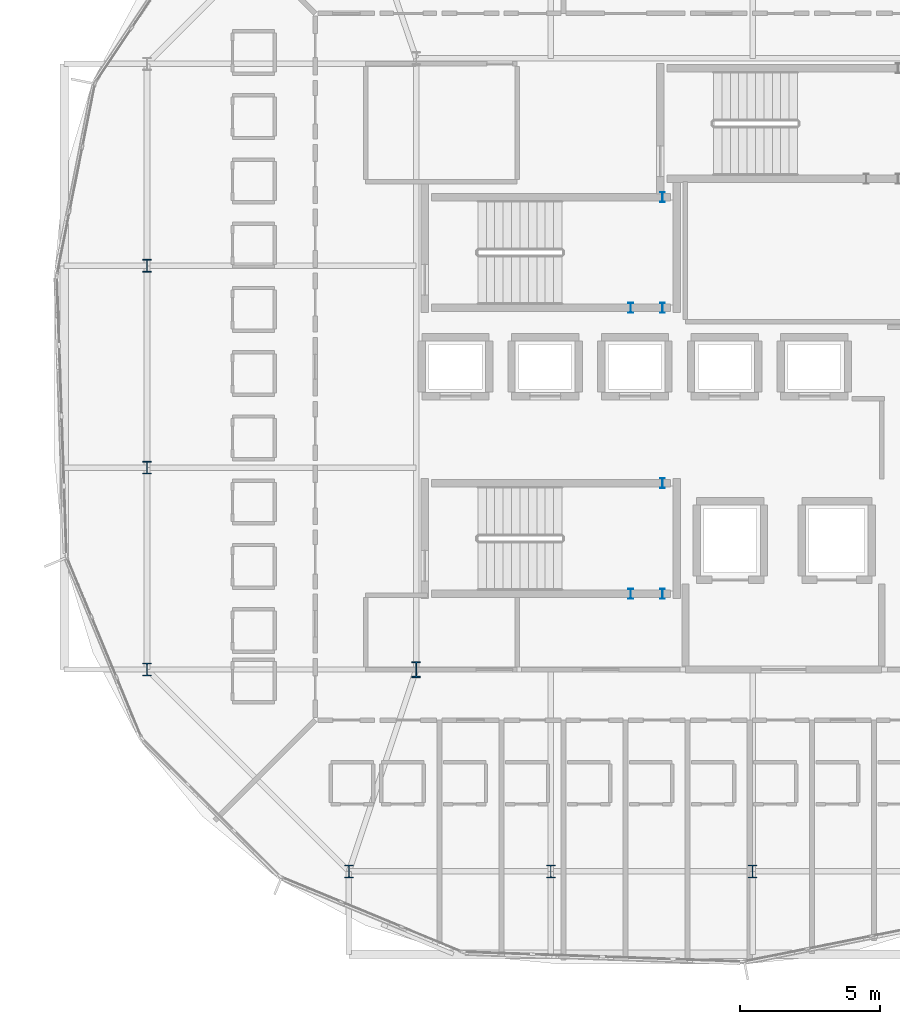
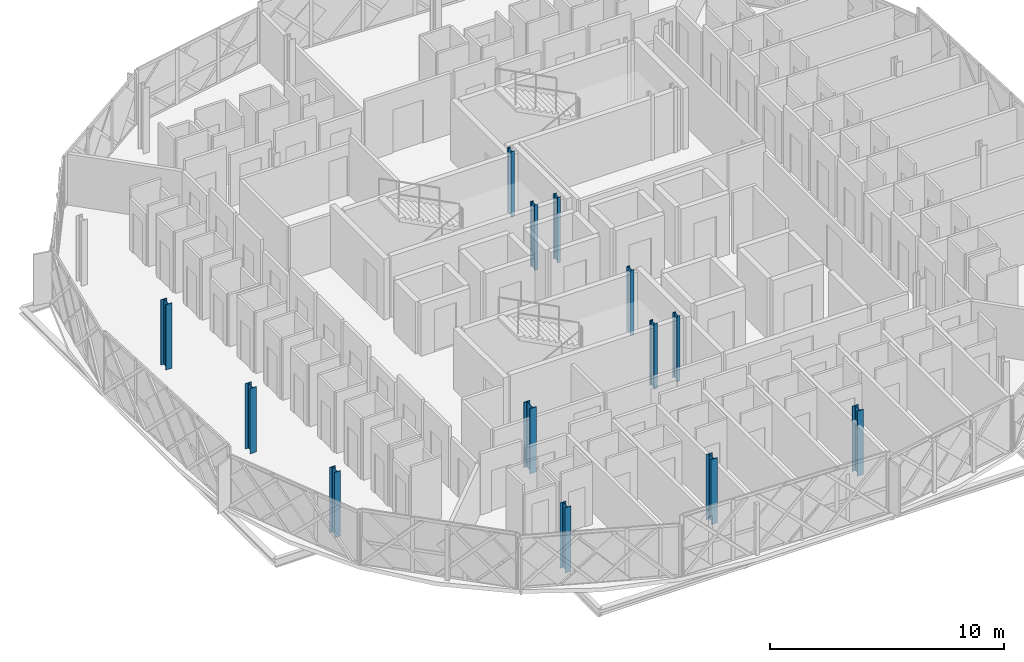
# One storey, part 1 of 25: 13 columns.
"""IFC4 building model written with IfcOpenShell, lengths in metres."""

from ifc_helpers import new_model, si_unit, direction, frame, origin, origin_2d, place, context, subcontext, project, spatial, i_section, extrude, material, material_profile, profile_set, type_object, element, save


model = new_model("IFC4")

# Units and contexts
model_context = context("Model", 3, precision=1e-05, world=origin(), true_north=direction((0.0, 1.0)))
body_context = subcontext(model_context, "Body", "Model", "MODEL_VIEW")
ifc_project = project(units=[si_unit("LENGTHUNIT", "METRE"), si_unit("AREAUNIT", "SQUARE_METRE"), si_unit("VOLUMEUNIT", "CUBIC_METRE"), si_unit("PLANEANGLEUNIT", "RADIAN"), si_unit("MASSUNIT", "GRAM", prefix="KILO")], contexts=[model_context])

# Site, building, storey
site_placement = place(None, origin())
site = spatial("IfcSite", under=ifc_project, at=site_placement, CompositionType="ELEMENT")
building_placement = place(site_placement, origin())
building = spatial("IfcBuilding", under=site, at=building_placement, Name="Zevrakil Square Congress Hotel", CompositionType="ELEMENT")
storey_placement = place(building_placement, frame((0.0, 0.0, 28.300048828125)))
storey = spatial("IfcBuildingStorey", under=building, at=storey_placement, Name="L08", CompositionType="ELEMENT", Elevation=28.300048828125)

# Columns
ifc_material_1 = material(Name="Steel S355", Category="steel")
ifc_material_profile_1 = material_profile(ifc_material_1, i_section(OverallWidth=0.300048828125, OverallDepth=0.449951171875, WebThickness=0.013916015625, FlangeThickness=0.02587890625, FilletRadius=0.027099609375, at=origin_2d()), Name="HEB 450")
ifc_profile_set_1 = profile_set([ifc_material_profile_1], Name="Steel S355")
column_type_1 = type_object("IfcColumnType", Name="COL-HEB450", PredefinedType="COLUMN", material=ifc_profile_set_1)
for number, where, z_axis, x_axis, name in (
    (1, (134.39990234375, 9.60009765625, 0.0), (0.0, 0.0, 1.0), (1.0, 0.0, 0.0), "L08 drum column DC01"),
    (2, (141.60009765625, 9.60009765625, 0.0), (0.0, 0.0, 1.0), (1.0, 0.0, 0.0), "L08 drum column DC02"),
    (3, (148.800048828125, 9.60009765625, 0.0), (0.0, 0.0, 1.0), (1.0, 0.0, 0.0), "L08 drum column DC03"),
    (4, (127.199951171875, 31.199951171875, 0.0), (0.0, 0.0, 1.0), (1.0, 0.0, 0.0), "L08 drum column DC14"),
    (5, (127.199951171875, 24.0, 0.0), (0.0, 0.0, 1.0), (1.0, 0.0, 0.0), "L08 drum column DC15"),
    (6, (127.199951171875, 16.800048828125, 0.0), (0.0, 0.0, 1.0), (1.0, 0.0, 0.0), "L08 drum column DC16"),
):
    element("IfcColumn", number, at=place(storey_placement, frame(where, z_axis=z_axis, x_axis=x_axis)), inside=storey, type_object=column_type_1, Name=name, PredefinedType="COLUMN", context=body_context, shape_type="SweptSolid", body=[
        extrude(i_section(OverallWidth=0.300048828125, OverallDepth=0.449951171875, WebThickness=0.013916015625, FlangeThickness=0.02587890625, FilletRadius=0.027099609375, at=origin_2d()), origin(), (0.0, 0.0, 1.0), 3.39990234375),
    ])
ifc_material_2 = material(Name="Steel S355", Category="steel")
ifc_material_profile_2 = material_profile(ifc_material_2, i_section(OverallWidth=0.305908203125, OverallDepth=0.572021484375, WebThickness=0.02099609375, FlangeThickness=0.0400390625, FilletRadius=0.027099609375, at=origin_2d()), Name="HEM 550")
ifc_profile_set_2 = profile_set([ifc_material_profile_2], Name="Steel S355")
column_type_2 = type_object("IfcColumnType", Name="COL-HEM550", PredefinedType="COLUMN", material=ifc_profile_set_2)
column_placement = place(storey_placement, frame((136.800048828125, 16.800048828125, 0.0), z_axis=(0.0, 0.0, 1.0), x_axis=(1.0, 0.0, 0.0)))
element("IfcColumn", 7, at=column_placement, inside=storey, type_object=column_type_2, Name="L08 column C-206", PredefinedType="COLUMN", context=body_context, shape_type="SweptSolid", body=[
    extrude(i_section(OverallWidth=0.305908203125, OverallDepth=0.572021484375, WebThickness=0.02099609375, FlangeThickness=0.0400390625, FilletRadius=0.027099609375, at=origin_2d()), origin(), (0.0, 0.0, 1.0), 3.39990234375),
])
ifc_material_3 = material(Name="Steel S355", Category="steel")
ifc_material_profile_3 = material_profile(ifc_material_3, i_section(OverallWidth=0.169921875, OverallDepth=0.360107421875, WebThickness=0.008056640625, FlangeThickness=0.0126953125, FilletRadius=0.01806640625, at=origin_2d()), Name="IPE 360")
ifc_profile_set_3 = profile_set([ifc_material_profile_3], Name="Steel S355")
column_type_3 = type_object("IfcColumnType", Name="COL-PILASTER-SHS180", PredefinedType="PILASTER", material=ifc_profile_set_3)
for number, where, z_axis, x_axis, name in (
    (8, (144.449951171875, 19.5, 0.0), (0.0, 0.0, 1.0), (1.0, 0.0, 0.0), "L08 ST01 stair shaft post 1"),
    (9, (145.580078125, 19.5, 0.0), (0.0, 0.0, 1.0), (1.0, 0.0, 0.0), "L08 ST01 stair shaft post 2"),
    (10, (145.580078125, 23.449951171875, 0.0), (0.0, 0.0, 1.0), (1.0, 0.0, 0.0), "L08 ST01 stair shaft post 3"),
    (11, (144.449951171875, 29.699951171875, 0.0), (0.0, 0.0, 1.0), (1.0, 0.0, 0.0), "L08 ST02 stair shaft post 1"),
    (12, (145.580078125, 29.699951171875, 0.0), (0.0, 0.0, 1.0), (1.0, 0.0, 0.0), "L08 ST02 stair shaft post 2"),
    (13, (145.580078125, 33.64990234375, 0.0), (0.0, 0.0, 1.0), (1.0, 0.0, 0.0), "L08 ST02 stair shaft post 3"),
):
    element("IfcColumn", number, at=place(storey_placement, frame(where, z_axis=z_axis, x_axis=x_axis)), inside=storey, type_object=column_type_3, Name=name, PredefinedType="PILASTER", context=body_context, shape_type="SweptSolid", body=[
        extrude(i_section(OverallWidth=0.169921875, OverallDepth=0.360107421875, WebThickness=0.008056640625, FlangeThickness=0.0126953125, FilletRadius=0.01806640625, at=origin_2d()), origin(), (0.0, 0.0, 1.0), 3.39990234375),
    ])

save(model, "model.ifc")
